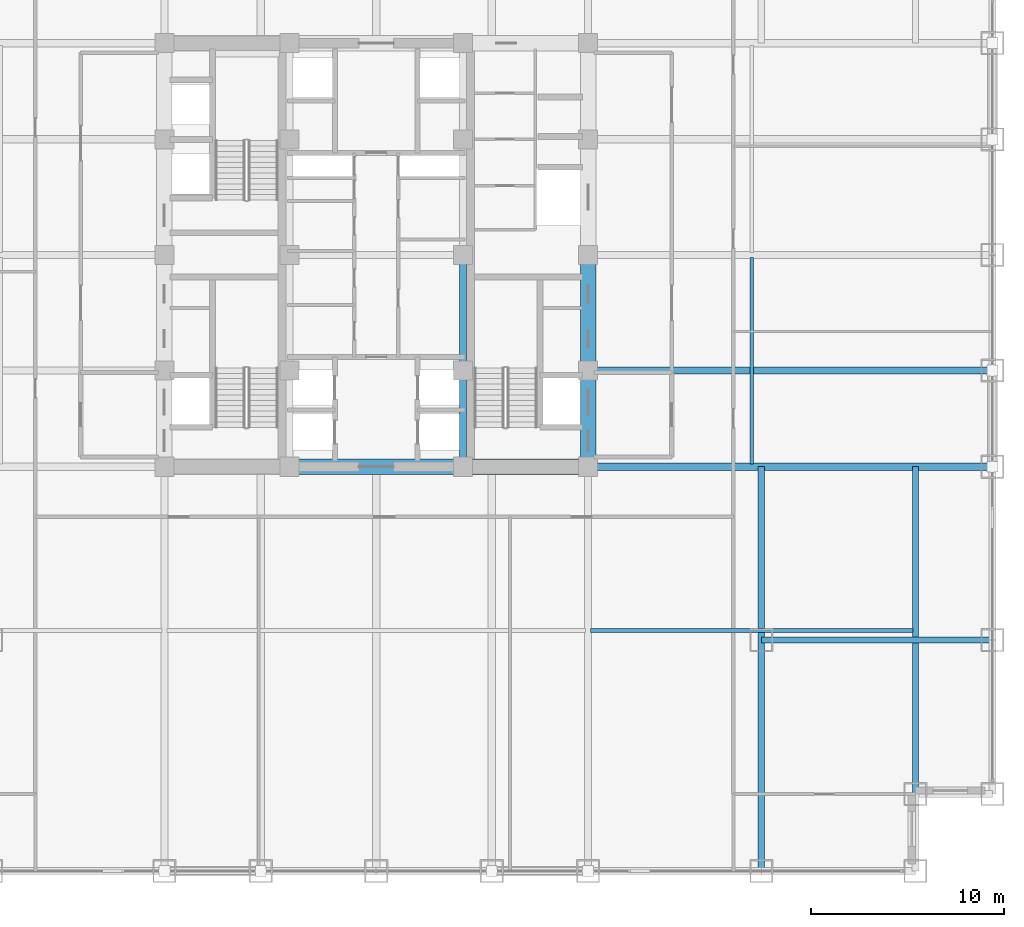
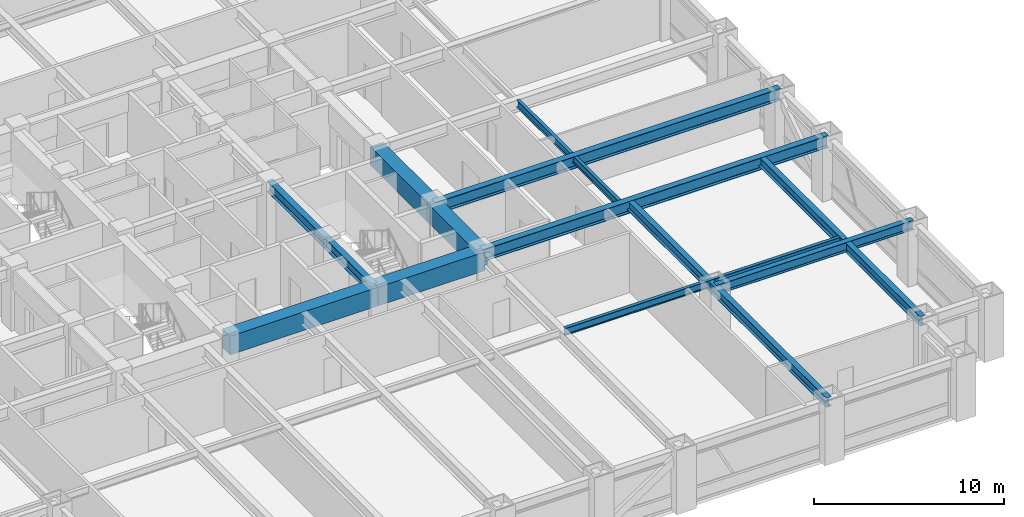
# One storey, part 7 of 27: 13 beams.
"""IFC4 building model written with IfcOpenShell, lengths in metres."""

from ifc_helpers import new_model, si_unit, direction, frame, origin, origin_2d, place, context, subcontext, project, spatial, rectangle, i_section, extrude, source, transform, mapped, material, material_profile, profile_set, type_object, element, save


model = new_model("IFC4")

# Units and contexts
model_context = context("Model", 3, precision=1e-05, world=origin(), true_north=direction((0.0, 1.0)))
body_context = subcontext(model_context, "Body", "Model", "MODEL_VIEW")
ifc_project = project(units=[si_unit("LENGTHUNIT", "METRE"), si_unit("AREAUNIT", "SQUARE_METRE"), si_unit("VOLUMEUNIT", "CUBIC_METRE"), si_unit("PLANEANGLEUNIT", "RADIAN"), si_unit("MASSUNIT", "GRAM", prefix="KILO")], contexts=[model_context])

# Site, building, storey
site_placement = place(None, origin())
site = spatial("IfcSite", under=ifc_project, at=site_placement, CompositionType="ELEMENT")
building_placement = place(site_placement, origin())
building = spatial("IfcBuilding", under=site, at=building_placement, Name="Khorayat Bourse Tower", CompositionType="ELEMENT")
storey_placement = place(building_placement, frame((0.0, 0.0, 103.699951171875)))
storey = spatial("IfcBuildingStorey", under=building, at=storey_placement, Name="L23", CompositionType="ELEMENT", Elevation=103.699951171875)

# Beams
ifc_material_1 = material(Name="Concrete C72/90", Category="concrete")
ifc_material_profile_1 = material_profile(ifc_material_1, rectangle(XDim=0.800048828125, YDim=1.199951171875, at=origin_2d()), Name="RC 800x1200")
ifc_profile_set_1 = profile_set([ifc_material_profile_1], Name="Concrete C72/90")
beam_type_1 = type_object("IfcBeamType", Name="BM-COUP-1200", PredefinedType="BEAM", material=ifc_profile_set_1)
shared_shape_1 = source(origin(), body_context, "Body", "SweptSolid", [
    extrude(rectangle(XDim=0.800048828125, YDim=1.199951171875, at=origin_2d()), origin(), (0.0, 0.0, 1.0), 5.0),
])
beam_1_placement = place(storey_placement, frame((11.0, -11.0, 3.239990234375), z_axis=(0.0, 1.0, 0.0), x_axis=(-1.0, 0.0, 0.0)))
element("IfcBeam", 1, at=beam_1_placement, inside=storey, type_object=beam_type_1, Name="L23 BM-COUP-1200 BM-L23-CRX-13", PredefinedType="BEAM", context=body_context, shape_type="MappedRepresentation", body=[
    mapped(shared_shape_1, transform((0.0, 0.0, 0.0), scale=1.0)),
])
shared_shape_2 = source(origin(), body_context, "Body", "SweptSolid", [
    extrude(rectangle(XDim=0.800048828125, YDim=1.199951171875, at=origin_2d()), origin(), (0.0, 0.0, 1.0), 6.0),
])
beam_2_placement = place(storey_placement, frame((11.0, -6.0, 3.239990234375), z_axis=(0.0, 1.0, 0.0), x_axis=(-1.0, 0.0, 0.0)))
element("IfcBeam", 2, at=beam_2_placement, inside=storey, type_object=beam_type_1, Name="L23 BM-COUP-1200 BM-L23-CRX-14", PredefinedType="BEAM", context=body_context, shape_type="MappedRepresentation", body=[
    mapped(shared_shape_2, transform((0.0, 0.0, 0.0), scale=1.0)),
])
ifc_material_2 = material(Name="Steel ASTM A992 Grade 50", Category="steel")
ifc_material_profile_2 = material_profile(ifc_material_2, i_section(OverallWidth=0.35498046875, OverallDepth=0.695068359375, WebThickness=0.015380859375, FlangeThickness=0.02490234375, FilletRadius=0.01806640625, at=origin_2d()), Name="W690X217")
ifc_profile_set_2 = profile_set([ifc_material_profile_2], Name="Steel ASTM A992 Grade 50")
beam_type_2 = type_object("IfcBeamType", Name="BM-GIRD-690", PredefinedType="BEAM", material=ifc_profile_set_2)
shared_shape_3 = source(origin(), body_context, "Body", "SweptSolid", [
    extrude(i_section(OverallWidth=0.35498046875, OverallDepth=0.695068359375, WebThickness=0.015380859375, FlangeThickness=0.02490234375, FilletRadius=0.01806640625, at=origin_2d()), origin(), (0.0, 0.0, 1.0), 5.0),
])
beam_3_placement = place(storey_placement, frame((4.5, -11.0, 3.492431640625), z_axis=(0.0, 1.0, 0.0), x_axis=(-1.0, 0.0, 0.0)))
element("IfcBeam", 3, at=beam_3_placement, inside=storey, type_object=beam_type_2, Name="L23 BM-GIRD-690 BM-L23-CRX-09", PredefinedType="BEAM", context=body_context, shape_type="MappedRepresentation", body=[
    mapped(shared_shape_3, transform((0.0, 0.0, 0.0), scale=1.0)),
])
shared_shape_4 = source(origin(), body_context, "Body", "SweptSolid", [
    extrude(i_section(OverallWidth=0.35498046875, OverallDepth=0.695068359375, WebThickness=0.015380859375, FlangeThickness=0.02490234375, FilletRadius=0.01806640625, at=origin_2d()), origin(), (0.0, 0.0, 1.0), 6.0),
])
beam_4_placement = place(storey_placement, frame((4.5, -6.0, 3.492431640625), z_axis=(0.0, 1.0, 0.0), x_axis=(-1.0, 0.0, 0.0)))
element("IfcBeam", 4, at=beam_4_placement, inside=storey, type_object=beam_type_2, Name="L23 BM-GIRD-690 BM-L23-CRX-10", PredefinedType="BEAM", context=body_context, shape_type="MappedRepresentation", body=[
    mapped(shared_shape_4, transform((0.0, 0.0, 0.0), scale=1.0)),
])
shared_shape_5 = source(origin(), body_context, "Body", "SweptSolid", [
    extrude(rectangle(XDim=0.800048828125, YDim=1.199951171875, at=origin_2d()), origin(), (0.0, 0.0, 1.0), 6.5),
])
beam_5_placement = place(storey_placement, frame((4.5, -11.0, 3.239990234375), z_axis=(1.0, 0.0, 0.0), x_axis=(0.0, 1.0, 0.0)))
element("IfcBeam", 5, at=beam_5_placement, inside=storey, type_object=beam_type_1, Name="L23 BM-COUP-1200 BM-L23-CRY-19", PredefinedType="BEAM", context=body_context, shape_type="MappedRepresentation", body=[
    mapped(shared_shape_5, transform((0.0, 0.0, 0.0), scale=1.0)),
])
shared_shape_6 = source(origin(), body_context, "Body", "SweptSolid", [
    extrude(rectangle(XDim=0.800048828125, YDim=1.199951171875, at=origin_2d()), origin(), (0.0, 0.0, 1.0), 9.0),
])
beam_6_placement = place(storey_placement, frame((-4.5, -11.0, 3.239990234375), z_axis=(1.0, 0.0, 0.0), x_axis=(0.0, 1.0, 0.0)))
element("IfcBeam", 6, at=beam_6_placement, inside=storey, type_object=beam_type_1, Name="L23 BM-COUP-1200 BM-L23-CRY-18", PredefinedType="BEAM", context=body_context, shape_type="MappedRepresentation", body=[
    mapped(shared_shape_6, transform((0.0, 0.0, 0.0), scale=1.0)),
])
ifc_material_profile_3 = material_profile(ifc_material_2, i_section(OverallWidth=0.324951171875, OverallDepth=0.615966796875, WebThickness=0.013916015625, FlangeThickness=0.021484375, FilletRadius=0.01611328125, at=origin_2d()), Name="W610X174")
ifc_profile_set_3 = profile_set([ifc_material_profile_3], Name="Steel ASTM A992 Grade 50")
beam_type_3 = type_object("IfcBeamType", Name="BM-GIRD-610", PredefinedType="BEAM", material=ifc_profile_set_3)
shared_shape_7 = source(origin(), body_context, "Body", "SweptSolid", [
    extrude(i_section(OverallWidth=0.324951171875, OverallDepth=0.615966796875, WebThickness=0.013916015625, FlangeThickness=0.021484375, FilletRadius=0.01611328125, at=origin_2d()), origin(), (0.0, 0.0, 1.0), 21.0),
])
beam_7_placement = place(storey_placement, frame((20.0, -32.0, 3.531982421875), z_axis=(0.0, 1.0, 0.0), x_axis=(-1.0, 0.0, 0.0)))
element("IfcBeam", 7, at=beam_7_placement, inside=storey, type_object=beam_type_3, Name="L23 BM-GIRD-610 BM-L23-CNRY-086", PredefinedType="BEAM", context=body_context, shape_type="MappedRepresentation", body=[
    mapped(shared_shape_7, transform((0.0, 0.0, 0.0), scale=1.0)),
])
shared_shape_8 = source(origin(), body_context, "Body", "SweptSolid", [
    extrude(i_section(OverallWidth=0.324951171875, OverallDepth=0.615966796875, WebThickness=0.013916015625, FlangeThickness=0.021484375, FilletRadius=0.01611328125, at=origin_2d()), origin(), (0.0, 0.0, 1.0), 12.0),
])
beam_8_placement = place(storey_placement, frame((20.0, -20.0, 3.531982421875), z_axis=(1.0, 0.0, 0.0), x_axis=(0.0, 1.0, 0.0)))
element("IfcBeam", 8, at=beam_8_placement, inside=storey, type_object=beam_type_3, Name="L23 BM-GIRD-610 BM-L23-CNRX-092", PredefinedType="BEAM", context=body_context, shape_type="MappedRepresentation", body=[
    mapped(shared_shape_8, transform((0.0, 0.0, 0.0), scale=1.0)),
])
ifc_material_profile_4 = material_profile(ifc_material_2, i_section(OverallWidth=0.194091796875, OverallDepth=0.468994140625, WebThickness=0.0126953125, FlangeThickness=0.0205078125, FilletRadius=0.012939453125, at=origin_2d()), Name="W460X106")
ifc_profile_set_4 = profile_set([ifc_material_profile_4], Name="Steel ASTM A992 Grade 50")
beam_type_4 = type_object("IfcBeamType", Name="BM-JOIST-460", PredefinedType="JOIST", material=ifc_profile_set_4)
shared_shape_9 = source(origin(), body_context, "Body", "SweptSolid", [
    extrude(i_section(OverallWidth=0.194091796875, OverallDepth=0.468994140625, WebThickness=0.0126953125, FlangeThickness=0.0205078125, FilletRadius=0.012939453125, at=origin_2d()), origin(), (0.0, 0.0, 1.0), 10.740234375),
])
beam_9_placement = place(storey_placement, frame((19.5, -10.8701171875, 3.60546875), z_axis=(0.0, 1.0, 0.0), x_axis=(-1.0, 0.0, 0.0)))
element("IfcBeam", 9, at=beam_9_placement, inside=storey, type_object=beam_type_4, Name="L23 BM-JOIST-460 BM-L23-JSTY-104", PredefinedType="JOIST", context=body_context, shape_type="MappedRepresentation", body=[
    mapped(shared_shape_9, transform((0.0, 0.0, 0.0), scale=1.0)),
])
ifc_material_profile_5 = material_profile(ifc_material_2, i_section(OverallWidth=0.381103515625, OverallDepth=0.77294921875, WebThickness=0.0166015625, FlangeThickness=0.027587890625, FilletRadius=0.01806640625, at=origin_2d()), Name="W760X257")
ifc_profile_set_5 = profile_set([ifc_material_profile_5], Name="Steel ASTM A992 Grade 50")
beam_type_5 = type_object("IfcBeamType", Name="BM-GIRD-760", PredefinedType="BEAM", material=ifc_profile_set_5)
shared_shape_10 = source(origin(), body_context, "Body", "SweptSolid", [
    extrude(i_section(OverallWidth=0.381103515625, OverallDepth=0.77294921875, WebThickness=0.0166015625, FlangeThickness=0.027587890625, FilletRadius=0.01806640625, at=origin_2d()), origin(), (0.0, 0.0, 1.0), 21.0),
])
for number, where, z_axis, x_axis, name in (
    (10, (11.0, -11.0, 3.45361328125), (1.0, 0.0, 0.0), (0.0, 1.0, 0.0), "L23 BM-GIRD-760 BM-L23-RADX-074"),
    (11, (11.0, -6.0, 3.45361328125), (1.0, 0.0, 0.0), (0.0, 1.0, 0.0), "L23 BM-GIRD-760 BM-L23-RADX-076"),
):
    element("IfcBeam", number, at=place(storey_placement, frame(where, z_axis=z_axis, x_axis=x_axis)), inside=storey, type_object=beam_type_5, Name=name, PredefinedType="BEAM", context=body_context, shape_type="MappedRepresentation", body=[
        mapped(shared_shape_10, transform((0.0, 0.0, 0.0), scale=1.0)),
    ])
shared_shape_11 = source(origin(), body_context, "Body", "SweptSolid", [
    extrude(i_section(OverallWidth=0.324951171875, OverallDepth=0.615966796875, WebThickness=0.013916015625, FlangeThickness=0.021484375, FilletRadius=0.01611328125, at=origin_2d()), origin(), (0.0, 0.0, 1.0), 17.0),
])
beam_10_placement = place(storey_placement, frame((28.0, -28.0, 3.531982421875), z_axis=(0.0, 1.0, 0.0), x_axis=(-1.0, 0.0, 0.0)))
element("IfcBeam", 12, at=beam_10_placement, inside=storey, type_object=beam_type_3, Name="L23 BM-GIRD-610 BM-L23-CNRY-090", PredefinedType="BEAM", context=body_context, shape_type="MappedRepresentation", body=[
    mapped(shared_shape_11, transform((0.0, 0.0, 0.0), scale=1.0)),
])
shared_shape_12 = source(origin(), body_context, "Body", "SweptSolid", [
    extrude(i_section(OverallWidth=0.194091796875, OverallDepth=0.468994140625, WebThickness=0.0126953125, FlangeThickness=0.0205078125, FilletRadius=0.012939453125, at=origin_2d()), origin(), (0.0, 0.0, 1.0), 16.740234375),
])
beam_11_placement = place(storey_placement, frame((11.1298828125, -19.5, 3.60546875), z_axis=(1.0, 0.0, 0.0), x_axis=(0.0, 1.0, 0.0)))
element("IfcBeam", 13, at=beam_11_placement, inside=storey, type_object=beam_type_4, Name="L23 BM-JOIST-460 BM-L23-JSTX-098", PredefinedType="JOIST", context=body_context, shape_type="MappedRepresentation", body=[
    mapped(shared_shape_12, transform((0.0, 0.0, 0.0), scale=1.0)),
])

save(model, "model.ifc")
